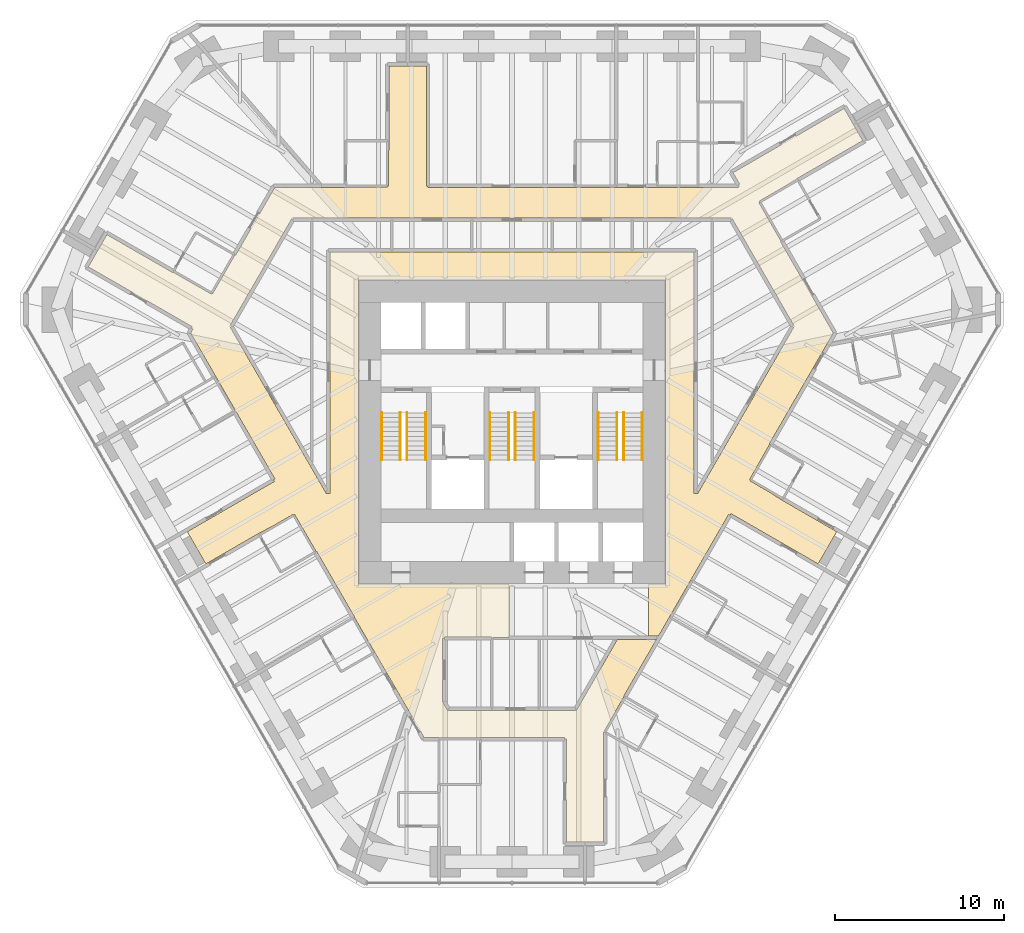
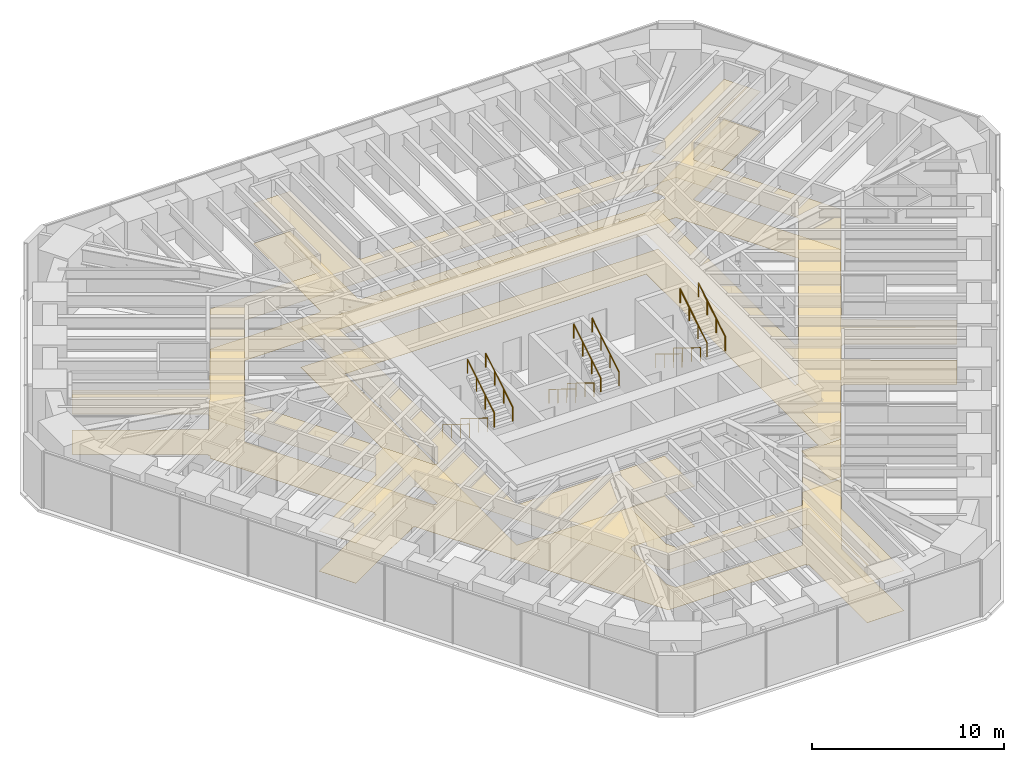
# One storey, part 17 of 17: 12 railings, 2 coverings.
"""IFC4 building model written with IfcOpenShell, lengths in metres."""

from ifc_helpers import new_model, si_unit, direction, frame, origin, origin_2d, place, context, subcontext, project, spatial, polyline, circle, outline, extrude, material, layer, layer_set, type_object, element, save


model = new_model("IFC4")

# Units and contexts
model_context = context("Model", 3, precision=1e-05, world=origin(), true_north=direction((0.0, 1.0)))
body_context = subcontext(model_context, "Body", "Model", "MODEL_VIEW")
ifc_project = project(units=[si_unit("LENGTHUNIT", "METRE"), si_unit("AREAUNIT", "SQUARE_METRE"), si_unit("VOLUMEUNIT", "CUBIC_METRE"), si_unit("PLANEANGLEUNIT", "RADIAN"), si_unit("MASSUNIT", "GRAM", prefix="KILO")], contexts=[model_context])

# Site, building, storey
site_placement = place(None, origin())
site = spatial("IfcSite", under=ifc_project, at=site_placement, CompositionType="ELEMENT")
building_placement = place(site_placement, origin())
building = spatial("IfcBuilding", under=site, at=building_placement, Name="Sandreach Pilgrim Tower", CompositionType="ELEMENT")
storey_placement = place(building_placement, frame((0.0, 0.0, 112.0)))
storey = spatial("IfcBuildingStorey", under=building, at=storey_placement, Name="L27", CompositionType="ELEMENT", Elevation=112.0)

# Coverings
ifc_material_1 = material(Name="Nylon carpet tile on the slab", Category="textile")
ifc_layer_1 = layer(ifc_material_1, 0.008056640625)
ifc_layer_set_1 = layer_set([ifc_layer_1], Name="Carpet tile")
covering_type_1 = type_object("IfcCoveringType", Name="Carpet tile", PredefinedType="FLOORING", material=ifc_layer_set_1)
covering_1_placement = place(storey_placement, origin())
element("IfcCovering", 1, at=covering_1_placement, inside=storey, type_object=covering_type_1, Name="Floor finish 27C Corridor 27", PredefinedType="FLOORING", context=body_context, shape_type="SweptSolid", body=[
    extrude(outline(polyline([(-25.033447265625, 8.206787109375), (-23.933349609375, 10.113525390625), (-20.04150390625, 7.870849609375), (-20.02880859375, 7.892578125), (-17.751708984375, 6.597412109375), (-17.72119140625, 6.649169921875), (-17.68798828125, 6.6298828125), (-16.37353515625, 8.923095703125), (-16.330322265625, 8.898193359375), (-14.022216796875, 12.889892578125), (-9.81005859375, 12.889892578125), (-9.81005859375, 12.915283203125), (-7.360107421875, 12.929931640625), (-7.35791015625, 12.989990234375), (-7.300048828125, 12.989990234375), (-7.300048828125, 14.568115234375), (-7.260009765625, 15.659912109375), (-7.260009765625, 20.080078125), (-5.06005859375, 20.080078125), (-5.06005859375, 13.0), (-4.96044921875, 13.0), (-4.9599609375, 12.889892578125), (13.389892578125, 12.889892578125), (13.439453125, 13.104736328125), (13.056396484375, 13.7734375), (19.62353515625, 17.5732421875), (20.723388671875, 15.666748046875), (16.840087890625, 13.426513671875), (15.937744140625, 12.859130859375), (14.60986328125, 12.092041015625), (14.638671875, 12.0419921875), (14.587890625, 12.01025390625), (15.901611328125, 9.706298828125), (15.873291015625, 9.68994140625), (18.984619140625, 4.2998046875), (15.203369140625, -2.25), (15.230224609375, -2.265380859375), (14.0380859375, -4.35009765625), (14.088623046875, -4.38232421875), (14.06005859375, -4.431884765625), (15.19091796875, -5.085693359375), (15.9599609375, -5.57666015625), (19.18603515625, -7.436279296875), (18.085693359375, -9.342041015625), (12.93994140625, -6.373291015625), (12.882568359375, -6.472900390625), (12.7958984375, -6.423095703125), (8.65576171875, -13.60009765625), (8.050048828125, -13.60009765625), (8.050048828125, -10.52001953125), (9.070068359375, -10.52001953125), (9.070068359375, 7.419921875), (-9.070068359375, 7.419921875), (-9.070068359375, -10.52001953125), (-0.175048828125, -10.52001953125), (-0.175048828125, -13.68994140625), (-1.199951171875, -13.67919921875), (-1.199951171875, -13.64990234375), (-3.989990234375, -13.64990234375), (-3.989990234375, -13.75), (-4.10009765625, -13.75), (-4.10009765625, -17.487060546875), (-3.8076171875, -17.989990234375), (3.8076171875, -17.989990234375), (6.2265625, -13.800048828125), (8.540283203125, -13.800048828125), (6.603515625, -17.14990234375), (6.62353515625, -17.16162109375), (5.409912109375, -19.2900390625), (5.409912109375, -25.780029296875), (3.2099609375, -25.780029296875), (3.2099609375, -19.68994140625), (3.10009765625, -19.68994140625), (3.10009765625, -19.590087890625), (-5.1923828125, -19.590087890625), (-9.318115234375, -12.488525390625), (-9.303466796875, -12.47998046875), (-11.54345703125, -8.60009765625), (-11.56884765625, -8.61474609375), (-12.837890625, -6.43017578125), (-12.891357421875, -6.4580078125), (-12.919921875, -6.407958984375), (-14.11767578125, -7.09814453125), (-14.969970703125, -7.54345703125), (-18.0859375, -9.341796875), (-19.1865234375, -7.435791015625), (-14.0400390625, -4.466552734375), (-14.097412109375, -4.366943359375), (-14.010986328125, -4.31689453125), (-18.98486328125, 4.300048828125), (-18.858154296875, 4.521728515625), (-18.945068359375, 4.5712890625), (-18.89013671875, 4.666748046875), (-25.033447265625, 8.206787109375)]), holes=[polyline([(-16.675537109375, 4.699951171875), (-10.965576171875, -5.18994140625), (-10.85009765625, -5.19482421875), (-10.75, -5.18994140625), (-10.75, 9.10009765625), (10.75, 9.10009765625), (10.75, -5.18994140625), (10.965576171875, -5.18994140625), (16.675537109375, 4.699951171875), (12.98779296875, 11.090087890625), (-12.98779296875, 11.090087890625), (-16.675537109375, 4.699951171875)])]), origin(), (0.0, 0.0, 1.0), 0.008056640625),
])
ifc_material_2 = material(Name="Gypsum board suspended ceiling on a steel grid", Category="steel")
ifc_layer_2 = layer(ifc_material_2, 0.012939453125)
ifc_layer_set_2 = layer_set([ifc_layer_2], Name="Gypsum board suspended ceiling")
covering_type_2 = type_object("IfcCoveringType", Name="Gypsum board suspended ceiling", PredefinedType="CEILING", material=ifc_layer_set_2)
covering_2_placement = place(storey_placement, frame((0.0, 0.0, 2.550048828125)))
element("IfcCovering", 2, at=covering_2_placement, inside=storey, type_object=covering_type_2, Name="Ceiling 27C Corridor 27", PredefinedType="CEILING", context=body_context, shape_type="SweptSolid", body=[
    extrude(outline(polyline([(-25.033447265625, 8.206787109375), (-23.933349609375, 10.113525390625), (-20.04150390625, 7.870849609375), (-20.02880859375, 7.892578125), (-17.751708984375, 6.597412109375), (-17.72119140625, 6.649169921875), (-17.68798828125, 6.6298828125), (-16.37353515625, 8.923095703125), (-16.330322265625, 8.898193359375), (-14.022216796875, 12.889892578125), (-9.81005859375, 12.889892578125), (-9.81005859375, 12.915283203125), (-7.360107421875, 12.929931640625), (-7.35791015625, 12.989990234375), (-7.300048828125, 12.989990234375), (-7.300048828125, 14.568115234375), (-7.260009765625, 15.659912109375), (-7.260009765625, 20.080078125), (-5.06005859375, 20.080078125), (-5.06005859375, 13.0), (-4.96044921875, 13.0), (-4.9599609375, 12.889892578125), (13.389892578125, 12.889892578125), (13.439453125, 13.104736328125), (13.056396484375, 13.7734375), (19.62353515625, 17.5732421875), (20.723388671875, 15.666748046875), (16.840087890625, 13.426513671875), (15.937744140625, 12.859130859375), (14.60986328125, 12.092041015625), (14.638671875, 12.0419921875), (14.587890625, 12.01025390625), (15.901611328125, 9.706298828125), (15.873291015625, 9.68994140625), (18.984619140625, 4.2998046875), (15.203369140625, -2.25), (15.230224609375, -2.265380859375), (14.0380859375, -4.35009765625), (14.088623046875, -4.38232421875), (14.06005859375, -4.431884765625), (15.19091796875, -5.085693359375), (15.9599609375, -5.57666015625), (19.18603515625, -7.436279296875), (18.085693359375, -9.342041015625), (12.93994140625, -6.373291015625), (12.882568359375, -6.472900390625), (12.7958984375, -6.423095703125), (8.65576171875, -13.60009765625), (8.050048828125, -13.60009765625), (8.050048828125, -10.52001953125), (9.070068359375, -10.52001953125), (9.070068359375, 7.419921875), (-9.070068359375, 7.419921875), (-9.070068359375, -10.52001953125), (-0.175048828125, -10.52001953125), (-0.175048828125, -13.68994140625), (-1.199951171875, -13.67919921875), (-1.199951171875, -13.64990234375), (-3.989990234375, -13.64990234375), (-3.989990234375, -13.75), (-4.10009765625, -13.75), (-4.10009765625, -17.487060546875), (-3.8076171875, -17.989990234375), (3.8076171875, -17.989990234375), (6.2265625, -13.800048828125), (8.540283203125, -13.800048828125), (6.603515625, -17.14990234375), (6.62353515625, -17.16162109375), (5.409912109375, -19.2900390625), (5.409912109375, -25.780029296875), (3.2099609375, -25.780029296875), (3.2099609375, -19.68994140625), (3.10009765625, -19.68994140625), (3.10009765625, -19.590087890625), (-5.1923828125, -19.590087890625), (-9.318115234375, -12.488525390625), (-9.303466796875, -12.47998046875), (-11.54345703125, -8.60009765625), (-11.56884765625, -8.61474609375), (-12.837890625, -6.43017578125), (-12.891357421875, -6.4580078125), (-12.919921875, -6.407958984375), (-14.11767578125, -7.09814453125), (-14.969970703125, -7.54345703125), (-18.0859375, -9.341796875), (-19.1865234375, -7.435791015625), (-14.0400390625, -4.466552734375), (-14.097412109375, -4.366943359375), (-14.010986328125, -4.31689453125), (-18.98486328125, 4.300048828125), (-18.858154296875, 4.521728515625), (-18.945068359375, 4.5712890625), (-18.89013671875, 4.666748046875), (-25.033447265625, 8.206787109375)]), holes=[polyline([(-16.675537109375, 4.699951171875), (-10.965576171875, -5.18994140625), (-10.85009765625, -5.19482421875), (-10.75, -5.18994140625), (-10.75, 9.10009765625), (10.75, 9.10009765625), (10.75, -5.18994140625), (10.965576171875, -5.18994140625), (16.675537109375, 4.699951171875), (12.98779296875, 11.090087890625), (-12.98779296875, 11.090087890625), (-16.675537109375, 4.699951171875)])]), origin(), (0.0, 0.0, 1.0), 0.012939453125),
])

# Railings
ifc_material_3 = material(Name="Stainless steel tube", Category="steel")
railing_type = type_object("IfcRailingType", Name="Stair handrail", PredefinedType="HANDRAIL", material=ifc_material_3)
for number, where, name in (
    (3, (-6.60009765625, -0.39990234375, 0.172607421875), "Handrail ST1 L27 flight 1"),
    (4, (-7.699951171875, -0.39990234375, 0.172607421875), "Handrail ST1 L27 flight 1"),
):
    element("IfcRailing", number, at=place(storey_placement, frame(where)), inside=storey, type_object=railing_type, Name=name, PredefinedType="HANDRAIL", context=body_context, shape_type="SweptSolid", body=[
        extrude(circle(Radius=0.02392578125, at=origin_2d()), frame((0.0, 0.0, 0.8759765625), z_axis=(0.0, -0.851089632645, 0.525020415988), x_axis=(1.0, 0.0, 0.0)), (0.0, 0.0, 1.0), 3.2900390625),
        extrude(circle(Radius=0.02099609375, at=origin_2d()), origin(), (0.0, 0.0, 1.0), 0.851806640625),
        extrude(circle(Radius=0.02099609375, at=origin_2d()), frame((0.0, -0.933349609375, 0.57568359375)), (0.0, 0.0, 1.0), 0.851806640625),
        extrude(circle(Radius=0.02099609375, at=origin_2d()), frame((0.0, -1.86669921875, 1.151611328125)), (0.0, 0.0, 1.0), 0.851806640625),
        extrude(circle(Radius=0.02099609375, at=origin_2d()), frame((0.0, -2.800048828125, 1.727294921875)), (0.0, 0.0, 1.0), 0.851806640625),
    ])
for number, where, name in (
    (5, (-6.199951171875, -3.199951171875, 2.07275390625), "Handrail ST1 L27 flight 2"),
    (6, (-5.10009765625, -3.199951171875, 2.07275390625), "Handrail ST1 L27 flight 2"),
):
    element("IfcRailing", number, at=place(storey_placement, frame(where)), inside=storey, type_object=railing_type, Name=name, PredefinedType="HANDRAIL", context=body_context, shape_type="SweptSolid", body=[
        extrude(circle(Radius=0.02392578125, at=origin_2d()), frame((0.0, 0.0, 0.8759765625), z_axis=(0.0, 0.851089632645, 0.525020415988), x_axis=(-1.0, 0.0, 0.0)), (0.0, 0.0, 1.0), 3.2900390625),
        extrude(circle(Radius=0.02099609375, at=origin_2d()), origin(), (0.0, 0.0, 1.0), 0.851806640625),
        extrude(circle(Radius=0.02099609375, at=origin_2d()), frame((0.0, 0.933349609375, 0.57568359375)), (0.0, 0.0, 1.0), 0.851806640625),
        extrude(circle(Radius=0.02099609375, at=origin_2d()), frame((0.0, 1.86669921875, 1.151611328125)), (0.0, 0.0, 1.0), 0.851806640625),
        extrude(circle(Radius=0.02099609375, at=origin_2d()), frame((0.0, 2.800048828125, 1.727294921875)), (0.0, 0.0, 1.0), 0.851806640625),
    ])
for number, where, name in (
    (7, (-0.199951171875, -0.39990234375, 0.172607421875), "Handrail ST3 L27 flight 1"),
    (8, (-1.300048828125, -0.39990234375, 0.172607421875), "Handrail ST3 L27 flight 1"),
):
    element("IfcRailing", number, at=place(storey_placement, frame(where)), inside=storey, type_object=railing_type, Name=name, PredefinedType="HANDRAIL", context=body_context, shape_type="SweptSolid", body=[
        extrude(circle(Radius=0.02392578125, at=origin_2d()), frame((0.0, 0.0, 0.8759765625), z_axis=(0.0, -0.851089632645, 0.525020415988), x_axis=(1.0, 0.0, 0.0)), (0.0, 0.0, 1.0), 3.2900390625),
        extrude(circle(Radius=0.02099609375, at=origin_2d()), origin(), (0.0, 0.0, 1.0), 0.851806640625),
        extrude(circle(Radius=0.02099609375, at=origin_2d()), frame((0.0, -0.933349609375, 0.57568359375)), (0.0, 0.0, 1.0), 0.851806640625),
        extrude(circle(Radius=0.02099609375, at=origin_2d()), frame((0.0, -1.86669921875, 1.151611328125)), (0.0, 0.0, 1.0), 0.851806640625),
        extrude(circle(Radius=0.02099609375, at=origin_2d()), frame((0.0, -2.800048828125, 1.727294921875)), (0.0, 0.0, 1.0), 0.851806640625),
    ])
for number, where, name in (
    (9, (0.199951171875, -3.199951171875, 2.07275390625), "Handrail ST3 L27 flight 2"),
    (10, (1.300048828125, -3.199951171875, 2.07275390625), "Handrail ST3 L27 flight 2"),
):
    element("IfcRailing", number, at=place(storey_placement, frame(where)), inside=storey, type_object=railing_type, Name=name, PredefinedType="HANDRAIL", context=body_context, shape_type="SweptSolid", body=[
        extrude(circle(Radius=0.02392578125, at=origin_2d()), frame((0.0, 0.0, 0.8759765625), z_axis=(0.0, 0.851089632645, 0.525020415988), x_axis=(-1.0, 0.0, 0.0)), (0.0, 0.0, 1.0), 3.2900390625),
        extrude(circle(Radius=0.02099609375, at=origin_2d()), origin(), (0.0, 0.0, 1.0), 0.851806640625),
        extrude(circle(Radius=0.02099609375, at=origin_2d()), frame((0.0, 0.933349609375, 0.57568359375)), (0.0, 0.0, 1.0), 0.851806640625),
        extrude(circle(Radius=0.02099609375, at=origin_2d()), frame((0.0, 1.86669921875, 1.151611328125)), (0.0, 0.0, 1.0), 0.851806640625),
        extrude(circle(Radius=0.02099609375, at=origin_2d()), frame((0.0, 2.800048828125, 1.727294921875)), (0.0, 0.0, 1.0), 0.851806640625),
    ])
for number, where, name in (
    (11, (6.199951171875, -0.39990234375, 0.172607421875), "Handrail ST2 L27 flight 1"),
    (12, (5.10009765625, -0.39990234375, 0.172607421875), "Handrail ST2 L27 flight 1"),
):
    element("IfcRailing", number, at=place(storey_placement, frame(where)), inside=storey, type_object=railing_type, Name=name, PredefinedType="HANDRAIL", context=body_context, shape_type="SweptSolid", body=[
        extrude(circle(Radius=0.02392578125, at=origin_2d()), frame((0.0, 0.0, 0.8759765625), z_axis=(0.0, -0.851089632645, 0.525020415988), x_axis=(1.0, 0.0, 0.0)), (0.0, 0.0, 1.0), 3.2900390625),
        extrude(circle(Radius=0.02099609375, at=origin_2d()), origin(), (0.0, 0.0, 1.0), 0.851806640625),
        extrude(circle(Radius=0.02099609375, at=origin_2d()), frame((0.0, -0.933349609375, 0.57568359375)), (0.0, 0.0, 1.0), 0.851806640625),
        extrude(circle(Radius=0.02099609375, at=origin_2d()), frame((0.0, -1.86669921875, 1.151611328125)), (0.0, 0.0, 1.0), 0.851806640625),
        extrude(circle(Radius=0.02099609375, at=origin_2d()), frame((0.0, -2.800048828125, 1.727294921875)), (0.0, 0.0, 1.0), 0.851806640625),
    ])
for number, where, name in (
    (13, (6.60009765625, -3.199951171875, 2.07275390625), "Handrail ST2 L27 flight 2"),
    (14, (7.699951171875, -3.199951171875, 2.07275390625), "Handrail ST2 L27 flight 2"),
):
    element("IfcRailing", number, at=place(storey_placement, frame(where)), inside=storey, type_object=railing_type, Name=name, PredefinedType="HANDRAIL", context=body_context, shape_type="SweptSolid", body=[
        extrude(circle(Radius=0.02392578125, at=origin_2d()), frame((0.0, 0.0, 0.8759765625), z_axis=(0.0, 0.851089632645, 0.525020415988), x_axis=(-1.0, 0.0, 0.0)), (0.0, 0.0, 1.0), 3.2900390625),
        extrude(circle(Radius=0.02099609375, at=origin_2d()), origin(), (0.0, 0.0, 1.0), 0.851806640625),
        extrude(circle(Radius=0.02099609375, at=origin_2d()), frame((0.0, 0.933349609375, 0.57568359375)), (0.0, 0.0, 1.0), 0.851806640625),
        extrude(circle(Radius=0.02099609375, at=origin_2d()), frame((0.0, 1.86669921875, 1.151611328125)), (0.0, 0.0, 1.0), 0.851806640625),
        extrude(circle(Radius=0.02099609375, at=origin_2d()), frame((0.0, 2.800048828125, 1.727294921875)), (0.0, 0.0, 1.0), 0.851806640625),
    ])

save(model, "model.ifc")
